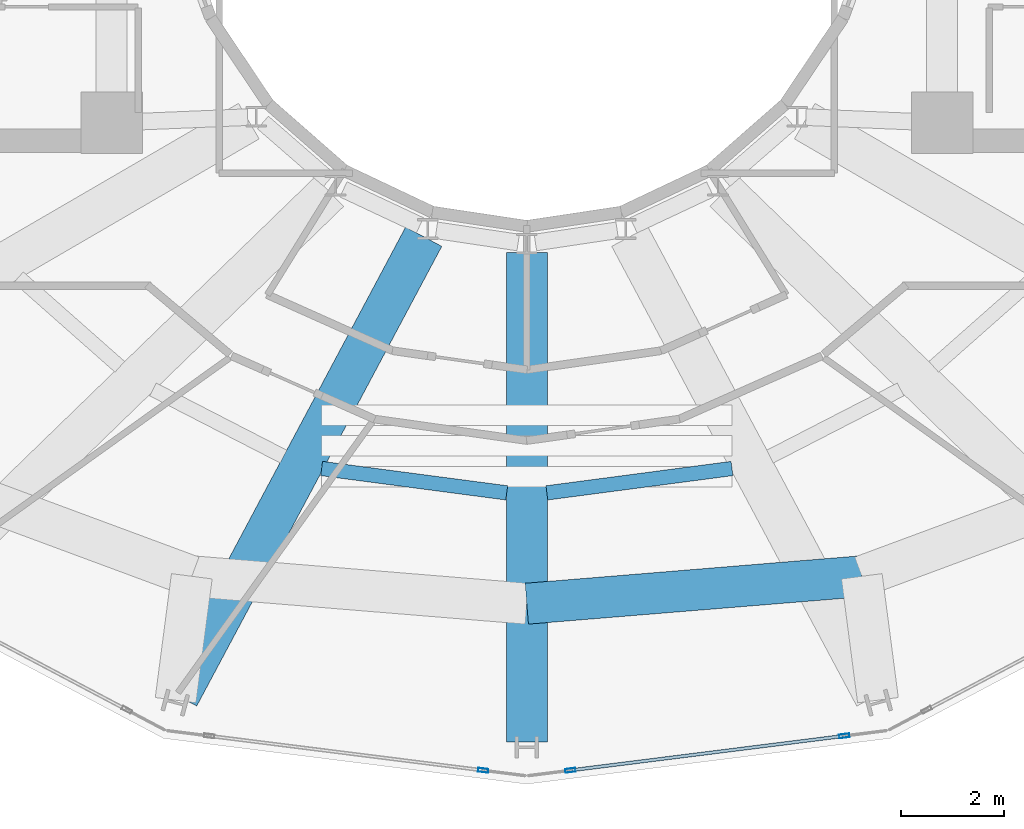
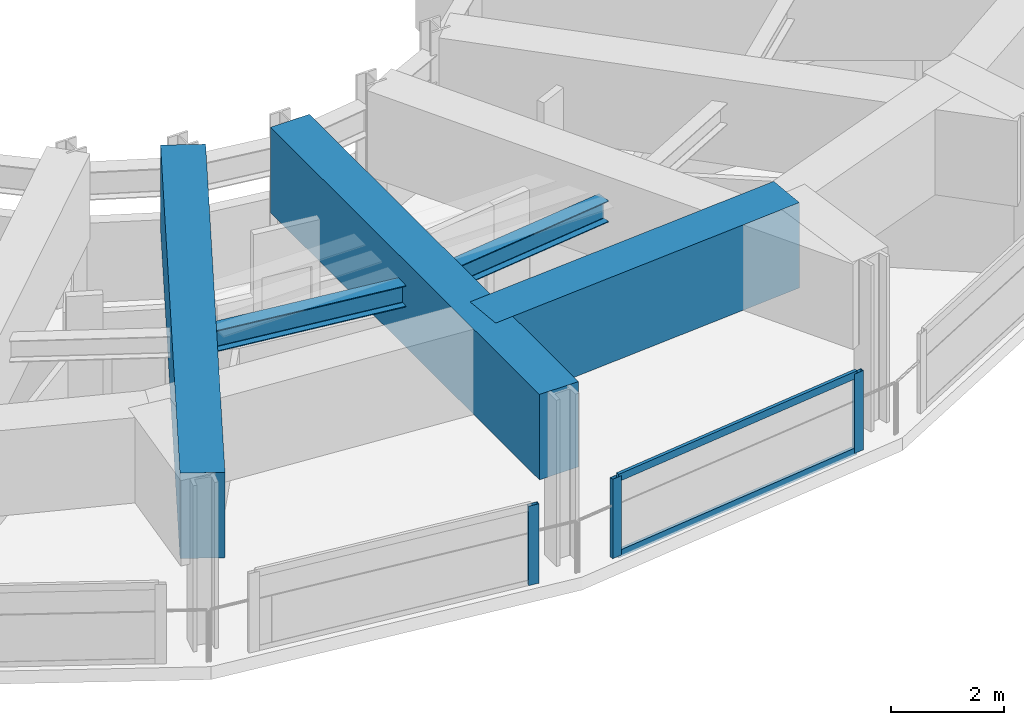
# One storey, part 4 of 21: 5 beams, 5 members, 2 elements without a shape of their own.
"""IFC4 building model written with IfcOpenShell, lengths in metres."""

from ifc_helpers import new_model, si_unit, direction, frame, origin, origin_2d, place, context, subcontext, project, spatial, rectangle, hollow_rectangle, i_section, extrude, material, layer, layer_set, material_profile, profile_set, type_object, element, aggregate, save


model = new_model("IFC4")

# Units and contexts
model_context = context("Model", 3, precision=1e-05, world=origin(), true_north=direction((0.0, 1.0)))
body_context = subcontext(model_context, "Body", "Model", "MODEL_VIEW")
ifc_project = project(units=[si_unit("LENGTHUNIT", "METRE"), si_unit("AREAUNIT", "SQUARE_METRE"), si_unit("VOLUMEUNIT", "CUBIC_METRE"), si_unit("PLANEANGLEUNIT", "RADIAN"), si_unit("MASSUNIT", "GRAM", prefix="KILO")], contexts=[model_context])

# Site, building, storey
site_placement = place(None, origin())
site = spatial("IfcSite", under=ifc_project, at=site_placement, CompositionType="ELEMENT")
building_placement = place(site_placement, origin())
building = spatial("IfcBuilding", under=site, at=building_placement, Name="Solvane Sanctuary Tower", CompositionType="ELEMENT")
storey_placement = place(building_placement, frame((0.0, 0.0, 256.800048828125)))
storey = spatial("IfcBuildingStorey", under=building, at=storey_placement, Name="L78", CompositionType="ELEMENT", Elevation=256.800048828125)

# Beams
ifc_material_1 = material(Name="Steel ASTM A992 Grade 50", Category="steel")
ifc_material_profile_1 = material_profile(ifc_material_1, i_section(OverallWidth=0.280029296875, OverallDepth=0.462890625, WebThickness=0.0107421875, FlangeThickness=0.017333984375, FilletRadius=0.013916015625, at=origin_2d()), Name="W18X76")
ifc_profile_set_1 = profile_set([ifc_material_profile_1], Name="Steel ASTM A992 Grade 50")
beam_type_1 = type_object("IfcBeamType", Name="Beam B-SEC-JOIST W18X76", PredefinedType="JOIST", material=ifc_profile_set_1)
for number, where, z_axis, x_axis, name in (
    (1, (27.998046875, 10.156982421875, 2.866455078125), (0.991443795345, -0.130534289257, 0.0), (0.130534289257, 0.991443795345, 0.0), "L78 Secondary Circumferential Joist 10-11"),
    (2, (32.3916015625, 9.681640625, 2.866455078125), (0.991443795345, 0.130534289257, 0.0), (-0.130534289257, 0.991443795345, 0.0), "L78 Secondary Circumferential Joist 11-12"),
):
    element("IfcBeam", number, at=place(storey_placement, frame(where, z_axis=z_axis, x_axis=x_axis)), inside=storey, type_object=beam_type_1, Name=name, PredefinedType="JOIST", context=body_context, shape_type="SweptSolid", body=[
        extrude(i_section(OverallWidth=0.280029296875, OverallDepth=0.462890625, WebThickness=0.0107421875, FlangeThickness=0.017333984375, FilletRadius=0.013916015625, at=origin_2d()), origin(), (0.0, 0.0, 1.0), 3.6416015625),
    ])
ifc_material_2 = material(Name="Concrete C70/85", Category="concrete")
ifc_material_profile_2 = material_profile(ifc_material_2, rectangle(XDim=0.800048828125, YDim=1.85009765625, at=origin_2d()), Name="RC800X1850")
ifc_profile_set_2 = profile_set([ifc_material_profile_2], Name="Concrete C70/85")
beam_type_2 = type_object("IfcBeamType", Name="Beam B-XFER-BLK RC800X1850", PredefinedType="BEAM", material=ifc_profile_set_2)
beam_1_placement = place(storey_placement, frame((29.9892578125, 14.67822265625, 2.675048828125), z_axis=(-0.470407387529, -0.882449369515, 0.0), x_axis=(0.882449369515, -0.470407387529, 0.0)))
element("IfcBeam", 3, at=beam_1_placement, inside=storey, type_object=beam_type_2, Name="L78 Block-Shift Radial Transfer Girder 10A", PredefinedType="BEAM", context=body_context, shape_type="SweptSolid", body=[
    extrude(rectangle(XDim=0.800048828125, YDim=1.85009765625, at=origin_2d()), origin(), (0.0, 0.0, 1.0), 10.160400390625),
])
beam_2_placement = place(storey_placement, frame((32.0, 14.3701171875, 2.675048828125), z_axis=(0.0, -1.0, 0.0), x_axis=(1.0, 0.0, 0.0)))
element("IfcBeam", 4, at=beam_2_placement, inside=storey, type_object=beam_type_2, Name="L78 Block-Shift Radial Transfer Girder 11A", PredefinedType="BEAM", context=body_context, shape_type="SweptSolid", body=[
    extrude(rectangle(XDim=0.800048828125, YDim=1.85009765625, at=origin_2d()), origin(), (0.0, 0.0, 1.0), 9.550048828125),
])
beam_3_placement = place(storey_placement, frame((32.0, 7.52001953125, 2.675048828125), z_axis=(0.996668695985, 0.081556792744, 0.0), x_axis=(-0.081556792744, 0.996668695985, 0.0)))
element("IfcBeam", 5, at=beam_3_placement, inside=storey, type_object=beam_type_2, Name="L78 Perimeter Step Transfer Ring NTC11-NTC12", PredefinedType="BEAM", context=body_context, shape_type="SweptSolid", body=[
    extrude(rectangle(XDim=0.800048828125, YDim=1.85009765625, at=origin_2d()), origin(), (0.0, 0.0, 1.0), 6.5556640625),
])

# Curtain wall, member
ifc_material_3 = material(Name="Anodised Aluminium 6063-T6", Category="aluminium")
ifc_layer = layer(ifc_material_3, 0.18994140625, Name="Anodised Aluminium 6063-T6")
ifc_layer_set = layer_set([ifc_layer], Name="Anodised Aluminium 6063-T6")
curtain_wall_type = type_object("IfcCurtainWallType", Name="Curtain Wall CW-OPER", PredefinedType="NOTDEFINED", material=ifc_layer_set)
curtain_wall_1_placement = place(storey_placement, origin())
curtain_wall_1 = element("IfcCurtainWall", 6, at=curtain_wall_1_placement, inside=storey, type_object=curtain_wall_type, Name="L78 CW-OPER Facade Run 17", PredefinedType="NOTDEFINED")
ifc_material_profile_3 = material_profile(ifc_material_3, hollow_rectangle(XDim=0.074951171875, YDim=0.199951171875, WallThickness=0.00390625, at=origin_2d()), Name="ALU200X75X4")
ifc_profile_set_3 = profile_set([ifc_material_profile_3], Name="Anodised Aluminium 6063-T6")
member_type_1 = type_object("IfcMemberType", Name="Member M-CW-MUL-1 ALU200X75X4", PredefinedType="MULLION", material=ifc_profile_set_3)
member_1_placement = place(storey_placement, frame((31.149169921875, 4.269287109375, 0.0), z_axis=(0.0, 0.0, 1.0), x_axis=(0.124814850727, 0.992180050716, 0.0)))
member_1 = element("IfcMember", 7, at=member_1_placement, type_object=member_type_1, Name="CW-OPER mullion 2", PredefinedType="MULLION", context=body_context, shape_type="SweptSolid", body=[
    extrude(hollow_rectangle(XDim=0.074951171875, YDim=0.199951171875, WallThickness=0.00390625, at=origin_2d()), origin(), (0.0, 0.0, 1.0), 1.719970703125),
])
aggregate(curtain_wall_1, [member_1])

# Curtain wall, members
curtain_wall_2_placement = place(storey_placement, origin())
curtain_wall_2 = element("IfcCurtainWall", 8, at=curtain_wall_2_placement, inside=storey, type_object=curtain_wall_type, Name="L78 CW-OPER Facade Run 18", PredefinedType="NOTDEFINED")
member_2_placement = place(storey_placement, frame((32.850830078125, 4.269287109375, 0.0), z_axis=(0.0, 0.0, 1.0), x_axis=(-0.124814850727, 0.992180050716, 0.0)))
member_2 = element("IfcMember", 9, at=member_2_placement, type_object=member_type_1, Name="CW-OPER mullion 1", PredefinedType="MULLION", context=body_context, shape_type="SweptSolid", body=[
    extrude(hollow_rectangle(XDim=0.074951171875, YDim=0.199951171875, WallThickness=0.00390625, at=origin_2d()), origin(), (0.0, 0.0, 1.0), 1.719970703125),
])
member_3_placement = place(storey_placement, frame((38.192138671875, 4.941162109375, 0.0), z_axis=(0.0, 0.0, 1.0), x_axis=(-0.124814850727, 0.992180050716, 0.0)))
member_3 = element("IfcMember", 10, at=member_3_placement, type_object=member_type_1, Name="CW-OPER mullion 2", PredefinedType="MULLION", context=body_context, shape_type="SweptSolid", body=[
    extrude(hollow_rectangle(XDim=0.074951171875, YDim=0.199951171875, WallThickness=0.00390625, at=origin_2d()), origin(), (0.0, 0.0, 1.0), 1.719970703125),
])
ifc_material_profile_4 = material_profile(ifc_material_3, hollow_rectangle(XDim=0.06494140625, YDim=0.159912109375, WallThickness=0.00341796875, at=origin_2d()), Name="ALU160X65X3.5")
ifc_profile_set_4 = profile_set([ifc_material_profile_4], Name="Anodised Aluminium 6063-T6")
member_type_2 = type_object("IfcMemberType", Name="Member M-CW-TRN-1 ALU160X65X3.5", PredefinedType="USERDEFINED", material=ifc_profile_set_4)
member_4_placement = place(storey_placement, frame((32.887939453125, 4.27392578125, 0.032470703125), z_axis=(0.992179929781, 0.124815812062, 0.0), x_axis=(-0.124815812062, 0.992179929781, 0.0)))
member_4 = element("IfcMember", 11, at=member_4_placement, type_object=member_type_2, Name="CW-OPER transom 1.1", ObjectType="TRANSOM", PredefinedType="USERDEFINED", context=body_context, shape_type="SweptSolid", body=[
    extrude(hollow_rectangle(XDim=0.06494140625, YDim=0.159912109375, WallThickness=0.00341796875, at=origin_2d()), origin(), (0.0, 0.0, 1.0), 5.30859375),
])
member_5_placement = place(storey_placement, frame((32.887939453125, 4.27392578125, 1.6875), z_axis=(0.992179929781, 0.124815812062, 0.0), x_axis=(-0.124815812062, 0.992179929781, 0.0)))
member_5 = element("IfcMember", 12, at=member_5_placement, type_object=member_type_2, Name="CW-OPER transom 1.2", ObjectType="TRANSOM", PredefinedType="USERDEFINED", context=body_context, shape_type="SweptSolid", body=[
    extrude(hollow_rectangle(XDim=0.06494140625, YDim=0.159912109375, WallThickness=0.00341796875, at=origin_2d()), origin(), (0.0, 0.0, 1.0), 5.30859375),
])
aggregate(curtain_wall_2, [member_2, member_3, member_4, member_5])

save(model, "model.ifc")
